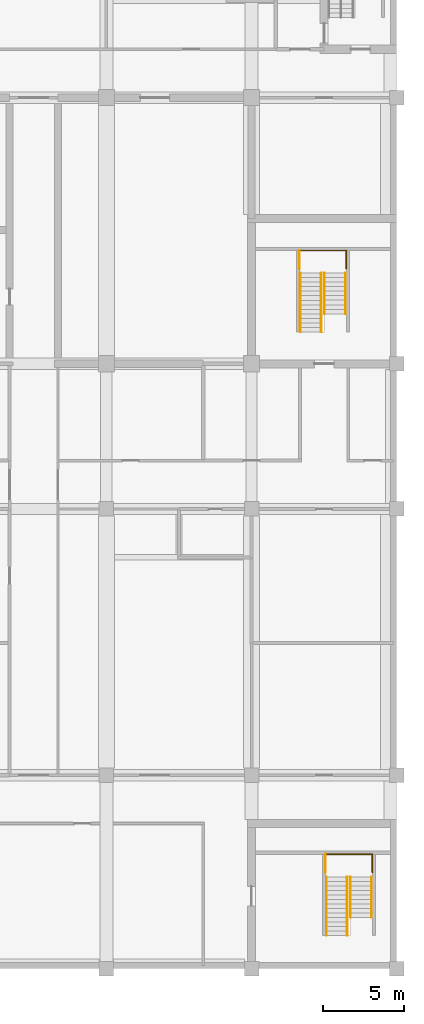
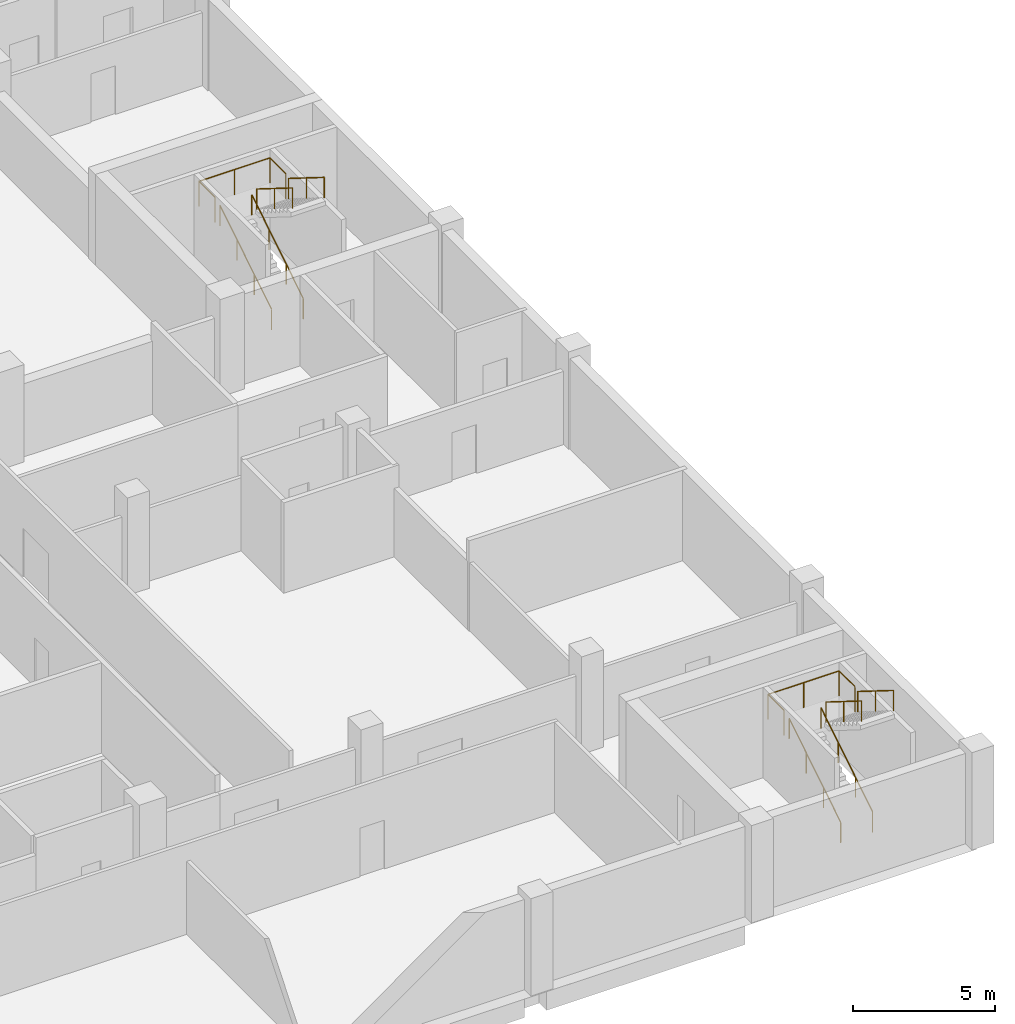
# One storey, part 14 of 16: 12 railings.
"""IFC4 building model written with IfcOpenShell, lengths in metres."""

from ifc_helpers import new_model, si_unit, direction, frame, origin, origin_2d, place, context, subcontext, project, spatial, circle, extrude, material, type_object, element, save


model = new_model("IFC4")

# Units and contexts
model_context = context("Model", 3, precision=1e-05, world=origin(), true_north=direction((0.0, 1.0)))
body_context = subcontext(model_context, "Body", "Model", "MODEL_VIEW")
ifc_project = project(units=[si_unit("LENGTHUNIT", "METRE"), si_unit("AREAUNIT", "SQUARE_METRE"), si_unit("VOLUMEUNIT", "CUBIC_METRE"), si_unit("PLANEANGLEUNIT", "RADIAN"), si_unit("MASSUNIT", "GRAM", prefix="KILO")], contexts=[model_context])

# Site, building, storey
site_placement = place(None, origin())
site = spatial("IfcSite", under=ifc_project, at=site_placement, CompositionType="ELEMENT")
building_placement = place(site_placement, origin())
building = spatial("IfcBuilding", under=site, at=building_placement, Name="Aurelan Courthouse", CompositionType="ELEMENT")
storey_placement = place(building_placement, frame((0.0, 0.0, -4.199951171875)))
storey = spatial("IfcBuildingStorey", under=building, at=storey_placement, Name="B1", CompositionType="ELEMENT", Elevation=-4.199951171875)

# Railings
ifc_material = material(Name="Steel S355", Category="steel")
railing_type_1 = type_object("IfcRailingType", Name="Stair guard 1100", PredefinedType="GUARDRAIL", material=ifc_material)
railing_1_placement = place(storey_placement, frame((85.590087890625, 5.97021484375, 2.449951171875)))
element("IfcRailing", 1, at=railing_1_placement, inside=storey, type_object=railing_type_1, Name="Guard BS-2-B1-GL1", PredefinedType="GUARDRAIL", context=body_context, shape_type="SweptSolid", body=[
    extrude(circle(Radius=0.02392578125, at=origin_2d()), frame((0.0, 0.0, 1.076171875), z_axis=(0.0, 1.0, 0.0), x_axis=(-1.0, 0.0, 0.0)), (0.0, 0.0, 1.0), 1.124755859375),
    extrude(circle(Radius=0.02099609375, at=origin_2d()), origin(), (0.0, 0.0, 1.0), 1.052001953125),
    extrude(circle(Radius=0.02099609375, at=origin_2d()), frame((0.0, 1.124755859375, 0.0)), (0.0, 0.0, 1.0), 1.052001953125),
])
railing_2_placement = place(storey_placement, frame((85.590087890625, 7.094970703125, 2.449951171875)))
element("IfcRailing", 2, at=railing_2_placement, inside=storey, type_object=railing_type_1, Name="Guard BS-2-B1-GL2", PredefinedType="GUARDRAIL", context=body_context, shape_type="SweptSolid", body=[
    extrude(circle(Radius=0.02392578125, at=origin_2d()), frame((0.0, 0.0, 1.076171875), z_axis=(1.0, 0.0, 0.0), x_axis=(0.0, 1.0, 0.0)), (0.0, 0.0, 1.0), 2.89990234375),
    extrude(circle(Radius=0.02392578125, at=origin_2d()), frame((2.89990234375, 0.0, 1.076171875), z_axis=(0.0, -1.0, 0.0), x_axis=(1.0, 0.0, 0.0)), (0.0, 0.0, 1.0), 1.124755859375),
    extrude(circle(Radius=0.02099609375, at=origin_2d()), origin(), (0.0, 0.0, 1.0), 1.052001953125),
    extrude(circle(Radius=0.02099609375, at=origin_2d()), frame((1.449951171875, 0.0, 0.0)), (0.0, 0.0, 1.0), 1.052001953125),
    extrude(circle(Radius=0.02099609375, at=origin_2d()), frame((2.89990234375, 0.0, 0.0)), (0.0, 0.0, 1.0), 1.052001953125),
    extrude(circle(Radius=0.02099609375, at=origin_2d()), frame((2.89990234375, -1.124755859375, 0.0)), (0.0, 0.0, 1.0), 1.052001953125),
])
railing_3_placement = place(storey_placement, frame((83.97509765625, 43.395263671875, 2.449951171875)))
element("IfcRailing", 3, at=railing_3_placement, inside=storey, type_object=railing_type_1, Name="Guard BS-4-B1-GL1", PredefinedType="GUARDRAIL", context=body_context, shape_type="SweptSolid", body=[
    extrude(circle(Radius=0.02392578125, at=origin_2d()), frame((0.0, 0.0, 1.076171875), z_axis=(0.0, 1.0, 0.0), x_axis=(-1.0, 0.0, 0.0)), (0.0, 0.0, 1.0), 1.124755859375),
    extrude(circle(Radius=0.02099609375, at=origin_2d()), origin(), (0.0, 0.0, 1.0), 1.052001953125),
    extrude(circle(Radius=0.02099609375, at=origin_2d()), frame((0.0, 1.124755859375, 0.0)), (0.0, 0.0, 1.0), 1.052001953125),
])
railing_4_placement = place(storey_placement, frame((83.97509765625, 44.52001953125, 2.449951171875)))
element("IfcRailing", 4, at=railing_4_placement, inside=storey, type_object=railing_type_1, Name="Guard BS-4-B1-GL2", PredefinedType="GUARDRAIL", context=body_context, shape_type="SweptSolid", body=[
    extrude(circle(Radius=0.02392578125, at=origin_2d()), frame((0.0, 0.0, 1.076171875), z_axis=(1.0, 0.0, 0.0), x_axis=(0.0, 1.0, 0.0)), (0.0, 0.0, 1.0), 2.89990234375),
    extrude(circle(Radius=0.02392578125, at=origin_2d()), frame((2.89990234375, 0.0, 1.076171875), z_axis=(0.0, -1.0, 0.0), x_axis=(1.0, 0.0, 0.0)), (0.0, 0.0, 1.0), 1.124755859375),
    extrude(circle(Radius=0.02099609375, at=origin_2d()), origin(), (0.0, 0.0, 1.0), 1.052001953125),
    extrude(circle(Radius=0.02099609375, at=origin_2d()), frame((1.449951171875, 0.0, 0.0)), (0.0, 0.0, 1.0), 1.052001953125),
    extrude(circle(Radius=0.02099609375, at=origin_2d()), frame((2.89990234375, 0.0, 0.0)), (0.0, 0.0, 1.0), 1.052001953125),
    extrude(circle(Radius=0.02099609375, at=origin_2d()), frame((2.89990234375, -1.124755859375, 0.0)), (0.0, 0.0, 1.0), 1.052001953125),
])
railing_type_2 = type_object("IfcRailingType", Name="Stair handrail 900", PredefinedType="HANDRAIL", material=ifc_material)
for number, where, name in (
    (5, (85.639892578125, 2.054931640625, 0.175048828125), "Handrail BS-2-B1-H1"),
    (6, (86.93994140625, 2.054931640625, 0.175048828125), "Handrail BS-2-B1-H2"),
):
    element("IfcRailing", number, at=place(storey_placement, frame(where)), inside=storey, type_object=railing_type_2, Name=name, PredefinedType="HANDRAIL", context=body_context, shape_type="SweptSolid", body=[
        extrude(circle(Radius=0.02392578125, at=origin_2d()), frame((0.0, 0.0, 0.8759765625), z_axis=(0.0, 0.848017475052, 0.529968265093), x_axis=(-1.0, 0.0, 0.0)), (0.0, 0.0, 1.0), 4.29248046875),
        extrude(circle(Radius=0.02099609375, at=origin_2d()), origin(), (0.0, 0.0, 1.0), 0.851806640625),
        extrude(circle(Radius=0.02099609375, at=origin_2d()), frame((0.0, 1.21337890625, 0.75830078125)), (0.0, 0.0, 1.0), 0.851806640625),
        extrude(circle(Radius=0.02099609375, at=origin_2d()), frame((0.0, 2.4267578125, 1.5166015625)), (0.0, 0.0, 1.0), 0.851806640625),
        extrude(circle(Radius=0.02099609375, at=origin_2d()), frame((0.0, 3.64013671875, 2.27490234375)), (0.0, 0.0, 1.0), 0.851806640625),
    ])
for number, where, name in (
    (7, (87.139892578125, 5.695068359375, 2.625), "Handrail BS-2-B1-H3"),
    (8, (88.43994140625, 5.695068359375, 2.625), "Handrail BS-2-B1-H4"),
):
    element("IfcRailing", number, at=place(storey_placement, frame(where)), inside=storey, type_object=railing_type_2, Name=name, PredefinedType="HANDRAIL", context=body_context, shape_type="SweptSolid", body=[
        extrude(circle(Radius=0.02392578125, at=origin_2d()), frame((0.0, 0.0, 0.8759765625), z_axis=(0.0, -0.848007534815, 0.529984170421), x_axis=(1.0, 0.0, 0.0)), (0.0, 0.0, 1.0), 2.9716796875),
        extrude(circle(Radius=0.02099609375, at=origin_2d()), origin(), (0.0, 0.0, 1.0), 0.851806640625),
        extrude(circle(Radius=0.02099609375, at=origin_2d()), frame((0.0, -1.260009765625, 0.78759765625)), (0.0, 0.0, 1.0), 0.851806640625),
        extrude(circle(Radius=0.02099609375, at=origin_2d()), frame((0.0, -2.52001953125, 1.574951171875)), (0.0, 0.0, 1.0), 0.851806640625),
    ])
for number, where, name in (
    (9, (84.02490234375, 39.47998046875, 0.175048828125), "Handrail BS-4-B1-H1"),
    (10, (85.324951171875, 39.47998046875, 0.175048828125), "Handrail BS-4-B1-H2"),
):
    element("IfcRailing", number, at=place(storey_placement, frame(where)), inside=storey, type_object=railing_type_2, Name=name, PredefinedType="HANDRAIL", context=body_context, shape_type="SweptSolid", body=[
        extrude(circle(Radius=0.02392578125, at=origin_2d()), frame((0.0, 0.0, 0.8759765625), z_axis=(0.0, 0.848017475052, 0.529968265093), x_axis=(-1.0, 0.0, 0.0)), (0.0, 0.0, 1.0), 4.29248046875),
        extrude(circle(Radius=0.02099609375, at=origin_2d()), origin(), (0.0, 0.0, 1.0), 0.851806640625),
        extrude(circle(Radius=0.02099609375, at=origin_2d()), frame((0.0, 1.21337890625, 0.75830078125)), (0.0, 0.0, 1.0), 0.851806640625),
        extrude(circle(Radius=0.02099609375, at=origin_2d()), frame((0.0, 2.4267578125, 1.5166015625)), (0.0, 0.0, 1.0), 0.851806640625),
        extrude(circle(Radius=0.02099609375, at=origin_2d()), frame((0.0, 3.64013671875, 2.27490234375)), (0.0, 0.0, 1.0), 0.851806640625),
    ])
for number, where, name in (
    (11, (85.52490234375, 43.1201171875, 2.625), "Handrail BS-4-B1-H3"),
    (12, (86.824951171875, 43.1201171875, 2.625), "Handrail BS-4-B1-H4"),
):
    element("IfcRailing", number, at=place(storey_placement, frame(where)), inside=storey, type_object=railing_type_2, Name=name, PredefinedType="HANDRAIL", context=body_context, shape_type="SweptSolid", body=[
        extrude(circle(Radius=0.02392578125, at=origin_2d()), frame((0.0, 0.0, 0.8759765625), z_axis=(0.0, -0.848007534815, 0.529984170421), x_axis=(1.0, 0.0, 0.0)), (0.0, 0.0, 1.0), 2.9716796875),
        extrude(circle(Radius=0.02099609375, at=origin_2d()), origin(), (0.0, 0.0, 1.0), 0.851806640625),
        extrude(circle(Radius=0.02099609375, at=origin_2d()), frame((0.0, -1.260009765625, 0.78759765625)), (0.0, 0.0, 1.0), 0.851806640625),
        extrude(circle(Radius=0.02099609375, at=origin_2d()), frame((0.0, -2.52001953125, 1.574951171875)), (0.0, 0.0, 1.0), 0.851806640625),
    ])

save(model, "model.ifc")
